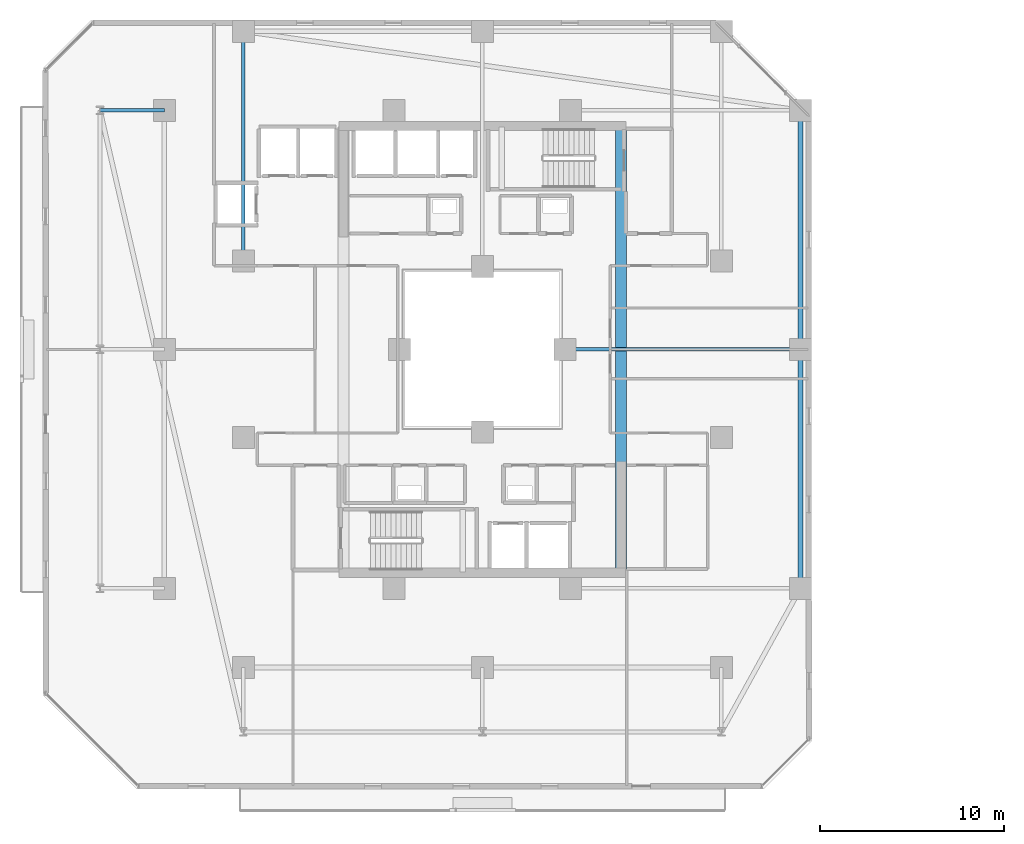
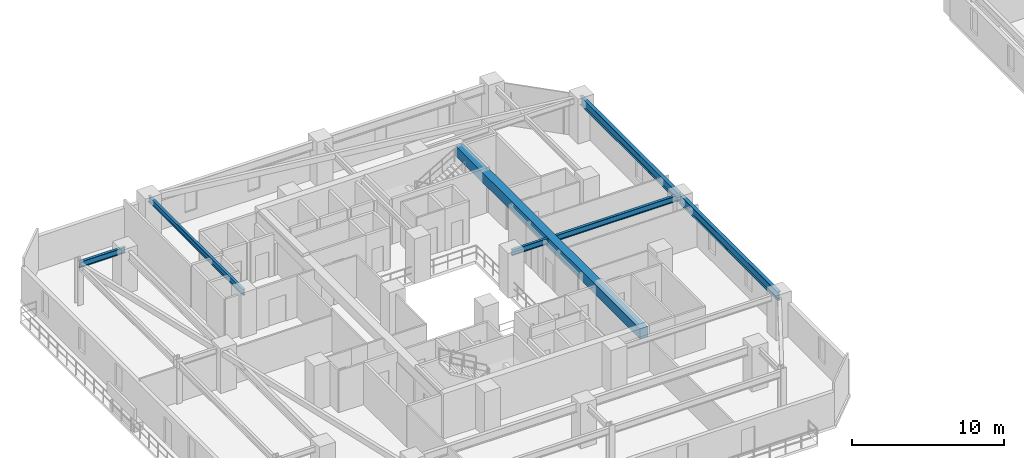
# One storey, part 6 of 33: 6 beams.
"""IFC4 building model written with IfcOpenShell, lengths in metres."""

import ifcopenshell
import ifcopenshell.guid

model = None  # the IFC model being written
_history = None  # IfcOwnerHistory: only IFC2X3 demands one
_inside = {}  # id of a spatial element -> (the spatial element, [elements in it])
_under = {}  # id of a project, library or spatial element -> (it, [spatial elements below it])
_declared = {}  # id of a project -> (the project, [libraries it declares])
_typed = {}  # id of a type object -> (the type object, [elements of that type])
_made_of = {}  # id of a material, layer set ... -> (it, [elements and type objects made of it])


def new_model(schema):
    """Start an empty IFC model of exactly this schema.

    Asked for "IFC4X3", IfcOpenShell would pick the latest addendum, in which some entities
    have other attributes; the version numbers below select the first issue.
    IFC2X3 requires an IfcOwnerHistory on every rooted entity: one is made here for all.
    """
    global model, _history
    if schema == "IFC4X3":
        model = ifcopenshell.file(schema_version=(4, 3, 0, 0))
    else:
        model = ifcopenshell.file(schema=schema)
    _inside.clear()
    _under.clear()
    _declared.clear()
    _typed.clear()
    _made_of.clear()
    _history = None
    if model.schema == "IFC2X3":
        org = make("IfcOrganization", Name="unknown")
        user = make(
            "IfcPersonAndOrganization",
            ThePerson=make("IfcPerson", FamilyName="unknown"),
            TheOrganization=org,
        )
        app = make(
            "IfcApplication",
            ApplicationDeveloper=org,
            Version="unknown",
            ApplicationFullName="unknown",
            ApplicationIdentifier="unknown",
        )
        _history = make(
            "IfcOwnerHistory",
            OwningUser=user,
            OwningApplication=app,
            ChangeAction="ADDED",
            CreationDate=0,
        )
    return model


def make(cls, **values):
    """One entity of the class cls with the attributes given. An attribute that is None is left unset."""
    return model.create_entity(
        cls, **{name: value for name, value in values.items() if value is not None}
    )


def rooted(cls, **values):
    """An entity with a GlobalId (a new one), such as an element, a storey or a relation."""
    return make(cls, GlobalId=ifcopenshell.guid.new(), OwnerHistory=_history, **values)


def si_unit(unit_type, name, prefix=None):
    """IfcSIUnit, for example si_unit("LENGTHUNIT", "METRE", prefix="MILLI")."""
    return make("IfcSIUnit", UnitType=unit_type, Prefix=prefix, Name=name)


def assignment(units):
    """IfcUnitAssignment: the units of a project."""
    return None if units is None else make("IfcUnitAssignment", Units=units)


def point(xyz):
    """IfcCartesianPoint."""
    return None if xyz is None else make("IfcCartesianPoint", Coordinates=xyz)


def direction(xyz):
    """IfcDirection."""
    return None if xyz is None else make("IfcDirection", DirectionRatios=xyz)


def frame(location, z_axis=None, x_axis=None):
    """IfcAxis2Placement3D, a coordinate frame: its origin and axes. An axis left out is left unset."""
    return make(
        "IfcAxis2Placement3D",
        Location=point(location),
        Axis=direction(z_axis),
        RefDirection=direction(x_axis),
    )


def frame_2d(location, x_axis=None):
    """IfcAxis2Placement2D, a coordinate frame in the plane: its origin and x axis."""
    return make(
        "IfcAxis2Placement2D", Location=point(location), RefDirection=direction(x_axis)
    )


def origin():
    """The frame at (0, 0, 0) with its axes left unset."""
    return frame((0.0, 0.0, 0.0))


def origin_2d():
    """The frame at (0, 0) in the plane with its x axis left unset."""
    return frame_2d((0.0, 0.0))


def place(relative_to, where):
    """IfcLocalPlacement: puts the frame where relative to a parent placement (None: the world)."""
    return make(
        "IfcLocalPlacement", PlacementRelTo=relative_to, RelativePlacement=where
    )


def context(
    kind, dimensions, precision=None, world=None, true_north=None, identifier=None
):
    """IfcGeometricRepresentationContext, for example the 3D "Model" context."""
    return make(
        "IfcGeometricRepresentationContext",
        ContextIdentifier=identifier,
        ContextType=kind,
        CoordinateSpaceDimension=dimensions,
        Precision=precision,
        WorldCoordinateSystem=world,
        TrueNorth=true_north,
    )


def subcontext(parent, identifier, kind, view, scale=None):
    """IfcGeometricRepresentationSubContext, for example "Body" below "Model"."""
    return make(
        "IfcGeometricRepresentationSubContext",
        ContextIdentifier=identifier,
        ContextType=kind,
        ParentContext=parent,
        TargetScale=scale,
        TargetView=view,
    )


def project(units=None, contexts=None):
    """IfcProject with its units and contexts."""
    return rooted(
        "IfcProject",
        Name="project",
        RepresentationContexts=contexts,
        UnitsInContext=assignment(units),
    )


def spatial(cls, under=None, at=None, **own):
    """A site, building, storey or space (cls), placed at a placement, below another one or the project."""
    s = rooted(cls, ObjectPlacement=at, **own)
    if under is not None:
        _under.setdefault(under.id(), (under, []))[1].append(s)
    return s


def profile(cls, at=None, kind="AREA", **sizes):
    """A parametric profile (cls). Its sizes go by their IFC names, for example OverallWidth=200.0."""
    return make(cls, ProfileType=kind, Position=at, **sizes)


def rectangle(**sizes):
    """IfcRectangleProfileDef."""
    return profile("IfcRectangleProfileDef", **sizes)


def i_section(**sizes):
    """IfcIShapeProfileDef."""
    return profile("IfcIShapeProfileDef", **sizes)


def extrude(swept, where, along, depth):
    """IfcExtrudedAreaSolid: the profile swept, set in the frame where, extruded along a direction by depth."""
    return make(
        "IfcExtrudedAreaSolid",
        SweptArea=swept,
        Position=where,
        ExtrudedDirection=direction(along),
        Depth=depth,
    )


def shape(context_of_items, identifier, shape_type, items):
    """IfcShapeRepresentation: the items that make up one representation, for example the "Body"."""
    return make(
        "IfcShapeRepresentation",
        ContextOfItems=context_of_items,
        RepresentationIdentifier=identifier,
        RepresentationType=shape_type,
        Items=items,
    )


def material(Name=None, Category=None):
    """IfcMaterial."""
    return make("IfcMaterial", Name=Name, Category=Category)


def material_profile(
    of_material, cross_section, Name=None, Category=None, Priority=None
):
    """IfcMaterialProfile: a cross section and its material."""
    return make(
        "IfcMaterialProfile",
        Name=Name,
        Material=of_material,
        Profile=cross_section,
        Priority=Priority,
        Category=Category,
    )


def profile_set(profiles, Name=None, composite=None):
    """IfcMaterialProfileSet."""
    return make(
        "IfcMaterialProfileSet",
        Name=Name,
        MaterialProfiles=profiles,
        CompositeProfile=composite,
    )


def made_of(thing, what):
    """Note that an element or type object is made of a material, layer set ...; save() writes the relation."""
    if what is not None:
        _made_of.setdefault(what.id(), (what, []))[1].append(thing)
    return thing


def type_object(cls, material=None, **own):
    """A type object (cls), such as IfcWallType, which elements share."""
    return made_of(rooted(cls, **own), material)


def element(
    cls,
    number,
    at=None,
    inside=None,
    cuts=None,
    type_object=None,
    material=None,
    context=None,
    identifier="Body",
    shape_type=None,
    held_by="IfcProductDefinitionShape",
    body=None,
    shapes=None,
    **own,
):
    """One element of the class cls, such as IfcWall. Its Tag is "e" and its number.

    at: its placement. inside: the storey or other place that contains it. cuts: it is an
    opening in that element (IfcRelVoidsElement). A single representation is given by context,
    identifier, shape_type and body (its items); several are given by shapes. held_by: the class
    of the entity that holds the representations. save() writes the other relations.
    """
    e = rooted(cls, Tag="e%d" % number, ObjectPlacement=at, **own)
    if body is not None:
        shapes = [shape(context, identifier, shape_type, body)]
    if shapes is not None:
        e.Representation = make(held_by, Representations=shapes)
    if inside is not None:
        _inside.setdefault(inside.id(), (inside, []))[1].append(e)
    if cuts is not None:
        rooted(
            "IfcRelVoidsElement", RelatingBuildingElement=cuts, RelatedOpeningElement=e
        )
    if type_object is not None:
        _typed.setdefault(type_object.id(), (type_object, []))[1].append(e)
    return made_of(e, material)


def aggregate(whole, parts):
    """IfcRelAggregates: a whole, such as a stair, and the parts it consists of."""
    return rooted("IfcRelAggregates", RelatingObject=whole, RelatedObjects=parts)


def save(model, path):
    """Write the relations noted so far, then the file.

    IfcRelAggregates (storeys below a building ...), IfcRelContainedInSpatialStructure (elements
    in a storey), IfcRelDefinesByType, IfcRelAssociatesMaterial and IfcRelDeclares: one each for
    every whole, place, type object, material and project.
    """
    for whole, parts in _under.values():
        aggregate(whole, parts)
    for where, things in _inside.values():
        rooted(
            "IfcRelContainedInSpatialStructure",
            RelatedElements=things,
            RelatingStructure=where,
        )
    for kind, things in _typed.values():
        rooted("IfcRelDefinesByType", RelatedObjects=things, RelatingType=kind)
    for what, things in _made_of.values():
        rooted("IfcRelAssociatesMaterial", RelatedObjects=things, RelatingMaterial=what)
    for by, libraries in _declared.values():
        rooted("IfcRelDeclares", RelatingContext=by, RelatedDefinitions=libraries)
    model.write(path)


model = new_model("IFC4")

# Units and contexts
model_context = context("Model", 3, precision=1e-05, world=origin(), true_north=direction((0.0, 1.0)))
body_context = subcontext(model_context, "Body", "Model", "MODEL_VIEW")
ifc_project = project(units=[si_unit("LENGTHUNIT", "METRE"), si_unit("AREAUNIT", "SQUARE_METRE"), si_unit("VOLUMEUNIT", "CUBIC_METRE"), si_unit("PLANEANGLEUNIT", "RADIAN"), si_unit("MASSUNIT", "GRAM", prefix="KILO")], contexts=[model_context])

# Site, building, storey
site_placement = place(None, origin())
site = spatial("IfcSite", under=ifc_project, at=site_placement, CompositionType="ELEMENT")
building_placement = place(site_placement, origin())
building = spatial("IfcBuilding", under=site, at=building_placement, Name="Thornwick Lancets Civic Towers", CompositionType="ELEMENT")
storey_placement = place(building_placement, frame((0.0, 0.0, 134.10009765625)))
storey = spatial("IfcBuildingStorey", under=building, at=storey_placement, Name="L35", CompositionType="ELEMENT", Elevation=134.10009765625)

# Beams
ifc_material_1 = material(Name="Concrete C60/75", Category="concrete")
ifc_material_profile_1 = material_profile(ifc_material_1, rectangle(XDim=0.60009765625, YDim=0.800048828125, at=origin_2d()), Name="RC 600x800")
ifc_profile_set_1 = profile_set([ifc_material_profile_1], Name="Concrete C60/75")
beam_type_1 = type_object("IfcBeamType", Name="BM_COUP_RC800", PredefinedType="BEAM", material=ifc_profile_set_1)
beam_1_placement = place(storey_placement, frame((33.050048828125, 14.89990234375, 2.9599609375), z_axis=(0.0, 1.0, 0.0), x_axis=(-1.0, 0.0, 0.0)))
element("IfcBeam", 1, at=beam_1_placement, inside=storey, type_object=beam_type_1, Name="CB-L35-A1", PredefinedType="BEAM", context=body_context, shape_type="SweptSolid", body=[
    extrude(rectangle(XDim=0.60009765625, YDim=0.800048828125, at=origin_2d()), origin(), (0.0, 0.0, 1.0), 24.2001953125),
])
ifc_material_2 = material(Name="Steel S355JR", Category="steel")
ifc_material_profile_2 = material_profile(ifc_material_2, i_section(OverallWidth=0.255859375, OverallDepth=0.69287109375, WebThickness=0.014404296875, FlangeThickness=0.023681640625, FilletRadius=0.01513671875, at=origin_2d()), Name="UKB 686x254x170")
ifc_profile_set_2 = profile_set([ifc_material_profile_2], Name="Steel S355JR")
beam_type_2 = type_object("IfcBeamType", Name="BM_GIRD_686_170", PredefinedType="BEAM", material=ifc_profile_set_2)
beam_2_placement = place(storey_placement, frame((42.800048828125, 14.0, 3.013427734375), z_axis=(0.0, 1.0, 0.0), x_axis=(-1.0, 0.0, 0.0)))
element("IfcBeam", 2, at=beam_2_placement, inside=storey, type_object=beam_type_2, Name="BM-SPINE-L35-A-3-4", PredefinedType="BEAM", context=body_context, shape_type="SweptSolid", body=[
    extrude(i_section(OverallWidth=0.255859375, OverallDepth=0.69287109375, WebThickness=0.014404296875, FlangeThickness=0.023681640625, FilletRadius=0.01513671875, at=origin_2d()), origin(), (0.0, 0.0, 1.0), 13.0),
])
beam_3_placement = place(storey_placement, frame((42.800048828125, 27.080078125, 3.013427734375), z_axis=(0.0, 1.0, 0.0), x_axis=(-1.0, 0.0, 0.0)))
element("IfcBeam", 3, at=beam_3_placement, inside=storey, type_object=beam_type_2, Name="BM-SPINE-L35-A-4-5", PredefinedType="BEAM", context=body_context, shape_type="SweptSolid", body=[
    extrude(i_section(OverallWidth=0.255859375, OverallDepth=0.69287109375, WebThickness=0.014404296875, FlangeThickness=0.023681640625, FilletRadius=0.01513671875, at=origin_2d()), origin(), (0.0, 0.0, 1.0), 12.919921875),
])
ifc_material_profile_3 = material_profile(ifc_material_2, i_section(OverallWidth=0.19287109375, OverallDepth=0.46728515625, WebThickness=0.011474609375, FlangeThickness=0.01953125, FilletRadius=0.01025390625, at=origin_2d()), Name="UKB 457x191x98")
ifc_profile_set_3 = profile_set([ifc_material_profile_3], Name="Steel S355JR")
beam_type_3 = type_object("IfcBeamType", Name="BM_JOIST_457_98", PredefinedType="JOIST", material=ifc_profile_set_3)
beam_4_placement = place(storey_placement, frame((30.0, 27.0, 3.126220703125), z_axis=(1.0, 0.0, 0.0), x_axis=(0.0, 1.0, 0.0)))
element("IfcBeam", 4, at=beam_4_placement, inside=storey, type_object=beam_type_3, Name="BM-RADIN-L35-A05", PredefinedType="JOIST", context=body_context, shape_type="SweptSolid", body=[
    extrude(i_section(OverallWidth=0.19287109375, OverallDepth=0.46728515625, WebThickness=0.011474609375, FlangeThickness=0.01953125, FilletRadius=0.01025390625, at=origin_2d()), origin(), (0.0, 0.0, 1.0), 12.800048828125),
])
beam_5_placement = place(storey_placement, frame((12.5, 31.800048828125, 3.126220703125), z_axis=(0.0, 1.0, 0.0), x_axis=(-1.0, 0.0, 0.0)))
element("IfcBeam", 5, at=beam_5_placement, inside=storey, type_object=beam_type_3, Name="BM-RADIN-L35-A07", PredefinedType="JOIST", context=body_context, shape_type="SweptSolid", body=[
    extrude(i_section(OverallWidth=0.19287109375, OverallDepth=0.46728515625, WebThickness=0.011474609375, FlangeThickness=0.01953125, FilletRadius=0.01025390625, at=origin_2d()), origin(), (0.0, 0.0, 1.0), 12.5),
])
beam_6_placement = place(storey_placement, frame((8.199951171875, 40.0, 3.126220703125), z_axis=(-1.0, 0.0, 0.0), x_axis=(0.0, -1.0, 0.0)))
element("IfcBeam", 6, at=beam_6_placement, inside=storey, type_object=beam_type_3, Name="BM-RAD-L35-A12", PredefinedType="JOIST", context=body_context, shape_type="SweptSolid", body=[
    extrude(i_section(OverallWidth=0.19287109375, OverallDepth=0.46728515625, WebThickness=0.011474609375, FlangeThickness=0.01953125, FilletRadius=0.01025390625, at=origin_2d()), origin(), (0.0, 0.0, 1.0), 3.5),
])

save(model, "model.ifc")
